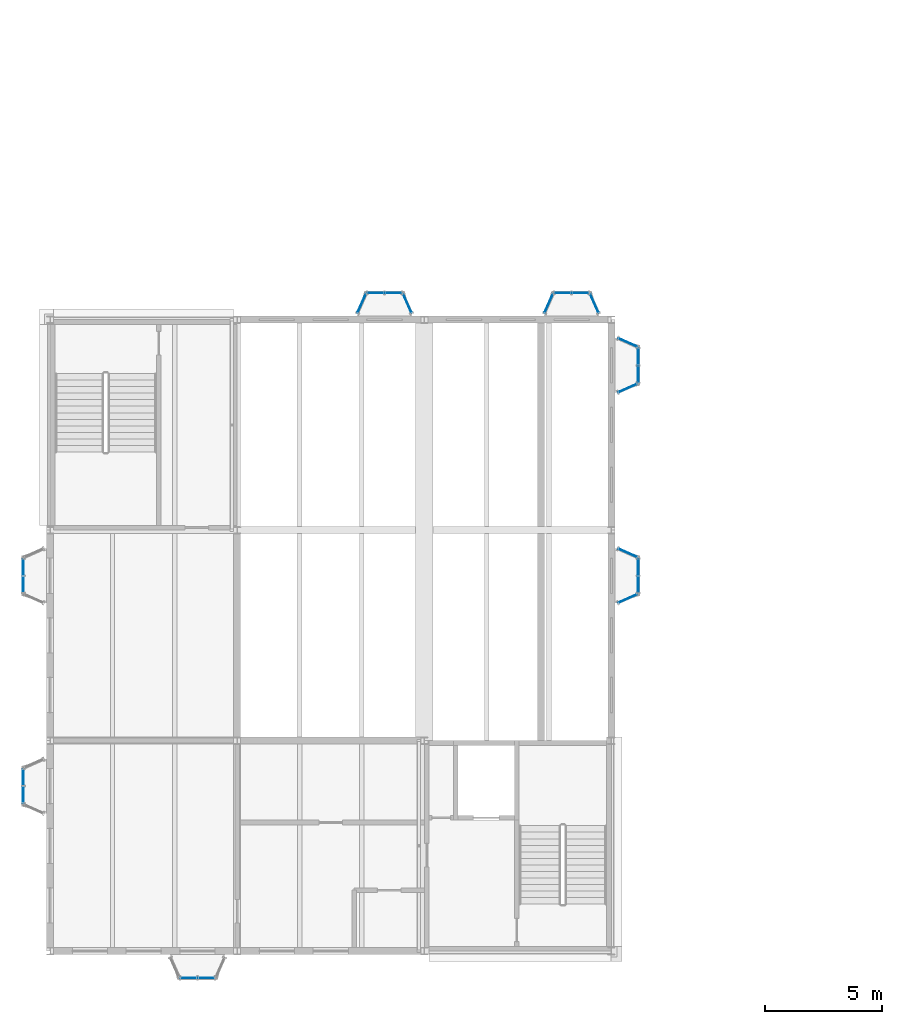
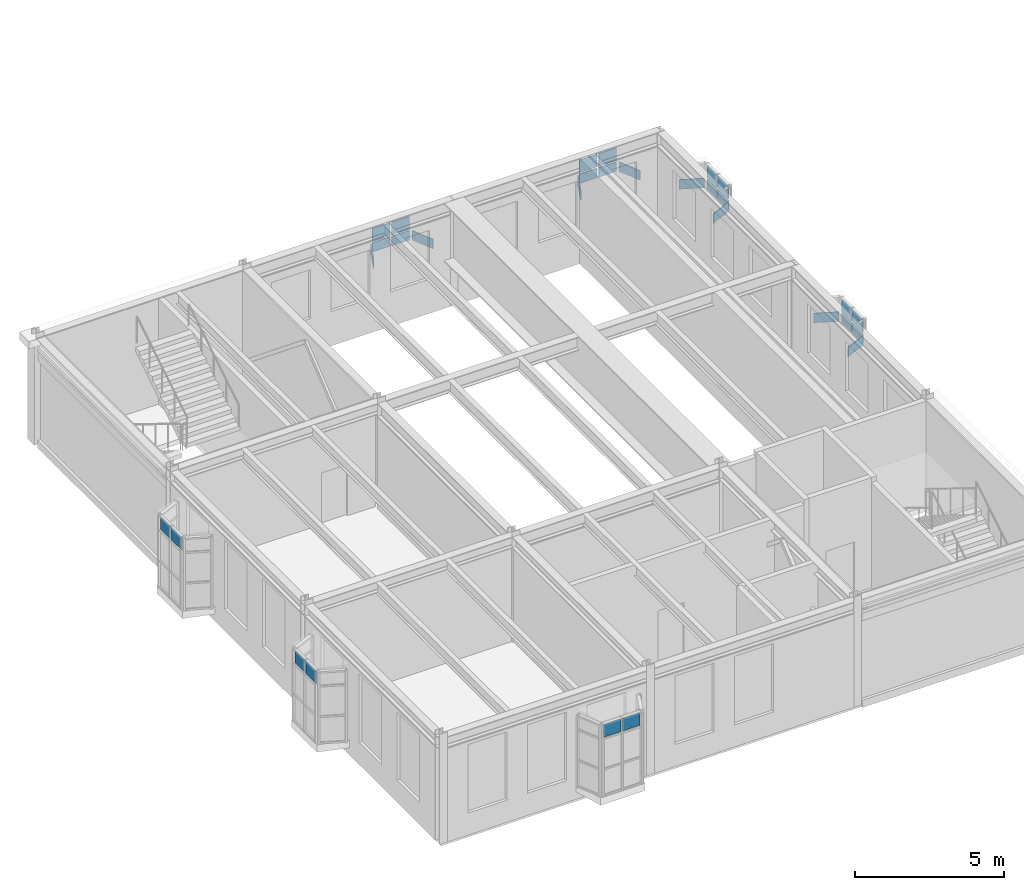
# One storey, part 90 of 153: 30 plates, 15 elements without a shape of their own.
"""IFC4 building model written with IfcOpenShell, lengths in metres."""

from ifc_helpers import new_model, si_unit, direction, frame, origin, origin_2d, place, context, subcontext, project, spatial, rectangle, extrude, material, layer, layer_set, type_object, element, aggregate, save


model = new_model("IFC4")

# Units and contexts
model_context = context("Model", 3, precision=1e-05, world=origin(), true_north=direction((0.0, 1.0)))
body_context = subcontext(model_context, "Body", "Model", "MODEL_VIEW")
ifc_project = project(units=[si_unit("LENGTHUNIT", "METRE"), si_unit("AREAUNIT", "SQUARE_METRE"), si_unit("VOLUMEUNIT", "CUBIC_METRE"), si_unit("PLANEANGLEUNIT", "RADIAN"), si_unit("MASSUNIT", "GRAM", prefix="KILO")], contexts=[model_context])

# Site, building, storey
site_placement = place(None, origin())
site = spatial("IfcSite", under=ifc_project, at=site_placement, CompositionType="ELEMENT")
building_placement = place(site_placement, origin())
building = spatial("IfcBuilding", under=site, at=building_placement, Name="Kallimachos Central Library", CompositionType="ELEMENT")
storey_placement = place(building_placement, frame((0.0, 0.0, 5.39990234375)))
storey = spatial("IfcBuildingStorey", under=building, at=storey_placement, Name="L01", CompositionType="ELEMENT", Elevation=5.39990234375)

# Curtain wall, plate
ifc_material_1 = material(Name="Laminated glass in anodised aluminium", Category="aluminium")
curtain_wall_type = type_object("IfcCurtainWallType", Name="Foyer curtain wall", PredefinedType="NOTDEFINED", material=ifc_material_1)
curtain_wall_1_placement = place(storey_placement, origin())
curtain_wall_1 = element("IfcCurtainWall", 1, at=curtain_wall_1_placement, inside=storey, type_object=curtain_wall_type, Name="Tribune bay return west", PredefinedType="NOTDEFINED")
ifc_material_2 = material(Name="Laminated glass", Category="glass")
ifc_layer = layer(ifc_material_2, 0.028076171875)
ifc_layer_set = layer_set([ifc_layer], Name="Curtain wall glass panel 28")
plate_type = type_object("IfcPlateType", Name="Curtain wall glass panel 28", PredefinedType="CURTAIN_PANEL", material=ifc_layer_set)
plate_1_placement = place(storey_placement, frame((27.324951171875, 36.699951171875, 2.22998046875), z_axis=(0.0, 0.0, 1.0), x_axis=(0.40613846606, 0.913811548617, 0.0)))
plate_1 = element("IfcPlate", 2, at=plate_1_placement, type_object=plate_type, Name="CW panel 1.2", PredefinedType="CURTAIN_PANEL", context=body_context, shape_type="SweptSolid", body=[
    extrude(rectangle(XDim=0.864990234375, YDim=0.028076171875, at=origin_2d()), origin(), (0.0, 0.0, 1.0), 0.389892578125),
])
aggregate(curtain_wall_1, [plate_1])

# Curtain wall, plates
curtain_wall_2_placement = place(storey_placement, origin())
curtain_wall_2 = element("IfcCurtainWall", 3, at=curtain_wall_2_placement, inside=storey, type_object=curtain_wall_type, Name="Tribune bay front", PredefinedType="NOTDEFINED")
plate_2_placement = place(storey_placement, frame((27.927490234375, 37.14990234375, 2.22998046875), z_axis=(0.0, 0.0, 1.0), x_axis=(1.0, 0.0, 0.0)))
plate_2 = element("IfcPlate", 4, at=plate_2_placement, type_object=plate_type, Name="CW panel 1.2", PredefinedType="CURTAIN_PANEL", context=body_context, shape_type="SweptSolid", body=[
    extrude(rectangle(XDim=0.68505859375, YDim=0.028076171875, at=origin_2d()), origin(), (0.0, 0.0, 1.0), 0.389892578125),
])
plate_3_placement = place(storey_placement, frame((27.927490234375, 37.14990234375, 2.68017578125), z_axis=(0.0, 0.0, 1.0), x_axis=(1.0, 0.0, 0.0)))
plate_3 = element("IfcPlate", 5, at=plate_3_placement, type_object=plate_type, Name="CW panel 1.3", PredefinedType="CURTAIN_PANEL", context=body_context, shape_type="SweptSolid", body=[
    extrude(rectangle(XDim=0.68505859375, YDim=0.028076171875, at=origin_2d()), origin(), (0.0, 0.0, 1.0), 0.510009765625),
])
plate_4_placement = place(storey_placement, frame((28.672607421875, 37.14990234375, 2.22998046875), z_axis=(0.0, 0.0, 1.0), x_axis=(1.0, 0.0, 0.0)))
plate_4 = element("IfcPlate", 6, at=plate_4_placement, type_object=plate_type, Name="CW panel 2.2", PredefinedType="CURTAIN_PANEL", context=body_context, shape_type="SweptSolid", body=[
    extrude(rectangle(XDim=0.68505859375, YDim=0.028076171875, at=origin_2d()), origin(), (0.0, 0.0, 1.0), 0.389892578125),
])
plate_5_placement = place(storey_placement, frame((28.672607421875, 37.14990234375, 2.68017578125), z_axis=(0.0, 0.0, 1.0), x_axis=(1.0, 0.0, 0.0)))
plate_5 = element("IfcPlate", 7, at=plate_5_placement, type_object=plate_type, Name="CW panel 2.3", PredefinedType="CURTAIN_PANEL", context=body_context, shape_type="SweptSolid", body=[
    extrude(rectangle(XDim=0.68505859375, YDim=0.028076171875, at=origin_2d()), origin(), (0.0, 0.0, 1.0), 0.510009765625),
])
aggregate(curtain_wall_2, [plate_2, plate_3, plate_4, plate_5])

# Curtain wall, plate
curtain_wall_3_placement = place(storey_placement, origin())
curtain_wall_3 = element("IfcCurtainWall", 8, at=curtain_wall_3_placement, inside=storey, type_object=curtain_wall_type, Name="Tribune bay return east", PredefinedType="NOTDEFINED")
plate_6_placement = place(storey_placement, frame((29.27490234375, 36.699951171875, 2.22998046875), z_axis=(0.0, 0.0, 1.0), x_axis=(0.40613846606, -0.913811548617, 0.0)))
plate_6 = element("IfcPlate", 9, at=plate_6_placement, type_object=plate_type, Name="CW panel 1.2", PredefinedType="CURTAIN_PANEL", context=body_context, shape_type="SweptSolid", body=[
    extrude(rectangle(XDim=0.864990234375, YDim=0.028076171875, at=origin_2d()), origin(), (0.0, 0.0, 1.0), 0.389892578125),
])
aggregate(curtain_wall_3, [plate_6])

# Curtain wall, plates
curtain_wall_4_placement = place(storey_placement, origin())
curtain_wall_4 = element("IfcCurtainWall", 10, at=curtain_wall_4_placement, inside=storey, type_object=curtain_wall_type, Name="Tribune bay front", PredefinedType="NOTDEFINED")
plate_7_placement = place(storey_placement, frame((4.85009765625, 24.677490234375, 2.97998046875), z_axis=(0.0, 0.0, 1.0), x_axis=(0.0, 1.0, 0.0)))
plate_7 = element("IfcPlate", 11, at=plate_7_placement, type_object=plate_type, Name="CW panel 1.3", PredefinedType="CURTAIN_PANEL", context=body_context, shape_type="SweptSolid", body=[
    extrude(rectangle(XDim=0.68505859375, YDim=0.028076171875, at=origin_2d()), origin(), (0.0, 0.0, 1.0), 0.510009765625),
])
plate_8_placement = place(storey_placement, frame((4.85009765625, 25.422607421875, 2.97998046875), z_axis=(0.0, 0.0, 1.0), x_axis=(0.0, 1.0, 0.0)))
plate_8 = element("IfcPlate", 12, at=plate_8_placement, type_object=plate_type, Name="CW panel 2.3", PredefinedType="CURTAIN_PANEL", context=body_context, shape_type="SweptSolid", body=[
    extrude(rectangle(XDim=0.68505859375, YDim=0.028076171875, at=origin_2d()), origin(), (0.0, 0.0, 1.0), 0.510009765625),
])
aggregate(curtain_wall_4, [plate_7, plate_8])

# Curtain wall, plate
curtain_wall_5_placement = place(storey_placement, origin())
curtain_wall_5 = element("IfcCurtainWall", 13, at=curtain_wall_5_placement, inside=storey, type_object=curtain_wall_type, Name="Tribune bay return west", PredefinedType="NOTDEFINED")
plate_9_placement = place(storey_placement, frame((30.699951171875, 33.074951171875, 2.22998046875), z_axis=(0.0, 0.0, 1.0), x_axis=(0.913811548617, 0.40613846606, 0.0)))
plate_9 = element("IfcPlate", 14, at=plate_9_placement, type_object=plate_type, Name="CW panel 1.2", PredefinedType="CURTAIN_PANEL", context=body_context, shape_type="SweptSolid", body=[
    extrude(rectangle(XDim=0.864990234375, YDim=0.028076171875, at=origin_2d()), origin(), (0.0, 0.0, 1.0), 0.389892578125),
])
aggregate(curtain_wall_5, [plate_9])

# Curtain wall, plates
curtain_wall_6_placement = place(storey_placement, origin())
curtain_wall_6 = element("IfcCurtainWall", 15, at=curtain_wall_6_placement, inside=storey, type_object=curtain_wall_type, Name="Tribune bay front", PredefinedType="NOTDEFINED")
plate_10_placement = place(storey_placement, frame((31.14990234375, 33.677490234375, 2.22998046875), z_axis=(0.0, 0.0, 1.0), x_axis=(0.0, 1.0, 0.0)))
plate_10 = element("IfcPlate", 16, at=plate_10_placement, type_object=plate_type, Name="CW panel 1.2", PredefinedType="CURTAIN_PANEL", context=body_context, shape_type="SweptSolid", body=[
    extrude(rectangle(XDim=0.68505859375, YDim=0.028076171875, at=origin_2d()), origin(), (0.0, 0.0, 1.0), 0.389892578125),
])
plate_11_placement = place(storey_placement, frame((31.14990234375, 33.677490234375, 2.68017578125), z_axis=(0.0, 0.0, 1.0), x_axis=(0.0, 1.0, 0.0)))
plate_11 = element("IfcPlate", 17, at=plate_11_placement, type_object=plate_type, Name="CW panel 1.3", PredefinedType="CURTAIN_PANEL", context=body_context, shape_type="SweptSolid", body=[
    extrude(rectangle(XDim=0.68505859375, YDim=0.028076171875, at=origin_2d()), origin(), (0.0, 0.0, 1.0), 0.510009765625),
])
plate_12_placement = place(storey_placement, frame((31.14990234375, 34.422607421875, 2.22998046875), z_axis=(0.0, 0.0, 1.0), x_axis=(0.0, 1.0, 0.0)))
plate_12 = element("IfcPlate", 18, at=plate_12_placement, type_object=plate_type, Name="CW panel 2.2", PredefinedType="CURTAIN_PANEL", context=body_context, shape_type="SweptSolid", body=[
    extrude(rectangle(XDim=0.68505859375, YDim=0.028076171875, at=origin_2d()), origin(), (0.0, 0.0, 1.0), 0.389892578125),
])
plate_13_placement = place(storey_placement, frame((31.14990234375, 34.422607421875, 2.68017578125), z_axis=(0.0, 0.0, 1.0), x_axis=(0.0, 1.0, 0.0)))
plate_13 = element("IfcPlate", 19, at=plate_13_placement, type_object=plate_type, Name="CW panel 2.3", PredefinedType="CURTAIN_PANEL", context=body_context, shape_type="SweptSolid", body=[
    extrude(rectangle(XDim=0.68505859375, YDim=0.028076171875, at=origin_2d()), origin(), (0.0, 0.0, 1.0), 0.510009765625),
])
aggregate(curtain_wall_6, [plate_10, plate_11, plate_12, plate_13])

# Curtain wall, plate
curtain_wall_7_placement = place(storey_placement, origin())
curtain_wall_7 = element("IfcCurtainWall", 20, at=curtain_wall_7_placement, inside=storey, type_object=curtain_wall_type, Name="Tribune bay return east", PredefinedType="NOTDEFINED")
plate_14_placement = place(storey_placement, frame((30.699951171875, 35.02490234375, 2.22998046875), z_axis=(0.0, 0.0, 1.0), x_axis=(-0.913811548617, 0.40613846606, 0.0)))
plate_14 = element("IfcPlate", 21, at=plate_14_placement, type_object=plate_type, Name="CW panel 1.2", PredefinedType="CURTAIN_PANEL", context=body_context, shape_type="SweptSolid", body=[
    extrude(rectangle(XDim=0.864990234375, YDim=0.028076171875, at=origin_2d()), origin(), (0.0, 0.0, 1.0), 0.389892578125),
])
aggregate(curtain_wall_7, [plate_14])

# Curtain wall, plates
curtain_wall_8_placement = place(storey_placement, origin())
curtain_wall_8 = element("IfcCurtainWall", 22, at=curtain_wall_8_placement, inside=storey, type_object=curtain_wall_type, Name="Tribune bay front", PredefinedType="NOTDEFINED")
plate_15_placement = place(storey_placement, frame((11.927490234375, 7.85009765625, 2.97998046875), z_axis=(0.0, 0.0, 1.0), x_axis=(1.0, 0.0, 0.0)))
plate_15 = element("IfcPlate", 23, at=plate_15_placement, type_object=plate_type, Name="CW panel 1.3", PredefinedType="CURTAIN_PANEL", context=body_context, shape_type="SweptSolid", body=[
    extrude(rectangle(XDim=0.68505859375, YDim=0.028076171875, at=origin_2d()), origin(), (0.0, 0.0, 1.0), 0.510009765625),
])
plate_16_placement = place(storey_placement, frame((12.672607421875, 7.85009765625, 2.97998046875), z_axis=(0.0, 0.0, 1.0), x_axis=(1.0, 0.0, 0.0)))
plate_16 = element("IfcPlate", 24, at=plate_16_placement, type_object=plate_type, Name="CW panel 2.3", PredefinedType="CURTAIN_PANEL", context=body_context, shape_type="SweptSolid", body=[
    extrude(rectangle(XDim=0.68505859375, YDim=0.028076171875, at=origin_2d()), origin(), (0.0, 0.0, 1.0), 0.510009765625),
])
aggregate(curtain_wall_8, [plate_15, plate_16])

curtain_wall_9_placement = place(storey_placement, origin())
curtain_wall_9 = element("IfcCurtainWall", 25, at=curtain_wall_9_placement, inside=storey, type_object=curtain_wall_type, Name="Tribune bay front", PredefinedType="NOTDEFINED")
plate_17_placement = place(storey_placement, frame((4.85009765625, 15.677490234375, 2.97998046875), z_axis=(0.0, 0.0, 1.0), x_axis=(0.0, 1.0, 0.0)))
plate_17 = element("IfcPlate", 26, at=plate_17_placement, type_object=plate_type, Name="CW panel 1.3", PredefinedType="CURTAIN_PANEL", context=body_context, shape_type="SweptSolid", body=[
    extrude(rectangle(XDim=0.68505859375, YDim=0.028076171875, at=origin_2d()), origin(), (0.0, 0.0, 1.0), 0.510009765625),
])
plate_18_placement = place(storey_placement, frame((4.85009765625, 16.422607421875, 2.97998046875), z_axis=(0.0, 0.0, 1.0), x_axis=(0.0, 1.0, 0.0)))
plate_18 = element("IfcPlate", 27, at=plate_18_placement, type_object=plate_type, Name="CW panel 2.3", PredefinedType="CURTAIN_PANEL", context=body_context, shape_type="SweptSolid", body=[
    extrude(rectangle(XDim=0.68505859375, YDim=0.028076171875, at=origin_2d()), origin(), (0.0, 0.0, 1.0), 0.510009765625),
])
aggregate(curtain_wall_9, [plate_17, plate_18])

# Curtain wall, plate
curtain_wall_10_placement = place(storey_placement, origin())
curtain_wall_10 = element("IfcCurtainWall", 28, at=curtain_wall_10_placement, inside=storey, type_object=curtain_wall_type, Name="Tribune bay return west", PredefinedType="NOTDEFINED")
plate_19_placement = place(storey_placement, frame((19.324951171875, 36.699951171875, 2.22998046875), z_axis=(0.0, 0.0, 1.0), x_axis=(0.40613846606, 0.913811548617, 0.0)))
plate_19 = element("IfcPlate", 29, at=plate_19_placement, type_object=plate_type, Name="CW panel 1.2", PredefinedType="CURTAIN_PANEL", context=body_context, shape_type="SweptSolid", body=[
    extrude(rectangle(XDim=0.864990234375, YDim=0.028076171875, at=origin_2d()), origin(), (0.0, 0.0, 1.0), 0.389892578125),
])
aggregate(curtain_wall_10, [plate_19])

# Curtain wall, plates
curtain_wall_11_placement = place(storey_placement, origin())
curtain_wall_11 = element("IfcCurtainWall", 30, at=curtain_wall_11_placement, inside=storey, type_object=curtain_wall_type, Name="Tribune bay front", PredefinedType="NOTDEFINED")
plate_20_placement = place(storey_placement, frame((19.927490234375, 37.14990234375, 2.22998046875), z_axis=(0.0, 0.0, 1.0), x_axis=(1.0, 0.0, 0.0)))
plate_20 = element("IfcPlate", 31, at=plate_20_placement, type_object=plate_type, Name="CW panel 1.2", PredefinedType="CURTAIN_PANEL", context=body_context, shape_type="SweptSolid", body=[
    extrude(rectangle(XDim=0.68505859375, YDim=0.028076171875, at=origin_2d()), origin(), (0.0, 0.0, 1.0), 0.389892578125),
])
plate_21_placement = place(storey_placement, frame((19.927490234375, 37.14990234375, 2.68017578125), z_axis=(0.0, 0.0, 1.0), x_axis=(1.0, 0.0, 0.0)))
plate_21 = element("IfcPlate", 32, at=plate_21_placement, type_object=plate_type, Name="CW panel 1.3", PredefinedType="CURTAIN_PANEL", context=body_context, shape_type="SweptSolid", body=[
    extrude(rectangle(XDim=0.68505859375, YDim=0.028076171875, at=origin_2d()), origin(), (0.0, 0.0, 1.0), 0.510009765625),
])
plate_22_placement = place(storey_placement, frame((20.672607421875, 37.14990234375, 2.22998046875), z_axis=(0.0, 0.0, 1.0), x_axis=(1.0, 0.0, 0.0)))
plate_22 = element("IfcPlate", 33, at=plate_22_placement, type_object=plate_type, Name="CW panel 2.2", PredefinedType="CURTAIN_PANEL", context=body_context, shape_type="SweptSolid", body=[
    extrude(rectangle(XDim=0.68505859375, YDim=0.028076171875, at=origin_2d()), origin(), (0.0, 0.0, 1.0), 0.389892578125),
])
plate_23_placement = place(storey_placement, frame((20.672607421875, 37.14990234375, 2.68017578125), z_axis=(0.0, 0.0, 1.0), x_axis=(1.0, 0.0, 0.0)))
plate_23 = element("IfcPlate", 34, at=plate_23_placement, type_object=plate_type, Name="CW panel 2.3", PredefinedType="CURTAIN_PANEL", context=body_context, shape_type="SweptSolid", body=[
    extrude(rectangle(XDim=0.68505859375, YDim=0.028076171875, at=origin_2d()), origin(), (0.0, 0.0, 1.0), 0.510009765625),
])
aggregate(curtain_wall_11, [plate_20, plate_21, plate_22, plate_23])

# Curtain wall, plate
curtain_wall_12_placement = place(storey_placement, origin())
curtain_wall_12 = element("IfcCurtainWall", 35, at=curtain_wall_12_placement, inside=storey, type_object=curtain_wall_type, Name="Tribune bay return east", PredefinedType="NOTDEFINED")
plate_24_placement = place(storey_placement, frame((21.27490234375, 36.699951171875, 2.22998046875), z_axis=(0.0, 0.0, 1.0), x_axis=(0.40613846606, -0.913811548617, 0.0)))
plate_24 = element("IfcPlate", 36, at=plate_24_placement, type_object=plate_type, Name="CW panel 1.2", PredefinedType="CURTAIN_PANEL", context=body_context, shape_type="SweptSolid", body=[
    extrude(rectangle(XDim=0.864990234375, YDim=0.028076171875, at=origin_2d()), origin(), (0.0, 0.0, 1.0), 0.389892578125),
])
aggregate(curtain_wall_12, [plate_24])

curtain_wall_13_placement = place(storey_placement, origin())
curtain_wall_13 = element("IfcCurtainWall", 37, at=curtain_wall_13_placement, inside=storey, type_object=curtain_wall_type, Name="Tribune bay return west", PredefinedType="NOTDEFINED")
plate_25_placement = place(storey_placement, frame((30.699951171875, 24.074951171875, 2.22998046875), z_axis=(0.0, 0.0, 1.0), x_axis=(0.913811548617, 0.40613846606, 0.0)))
plate_25 = element("IfcPlate", 38, at=plate_25_placement, type_object=plate_type, Name="CW panel 1.2", PredefinedType="CURTAIN_PANEL", context=body_context, shape_type="SweptSolid", body=[
    extrude(rectangle(XDim=0.864990234375, YDim=0.028076171875, at=origin_2d()), origin(), (0.0, 0.0, 1.0), 0.389892578125),
])
aggregate(curtain_wall_13, [plate_25])

# Curtain wall, plates
curtain_wall_14_placement = place(storey_placement, origin())
curtain_wall_14 = element("IfcCurtainWall", 39, at=curtain_wall_14_placement, inside=storey, type_object=curtain_wall_type, Name="Tribune bay front", PredefinedType="NOTDEFINED")
plate_26_placement = place(storey_placement, frame((31.14990234375, 24.677490234375, 2.22998046875), z_axis=(0.0, 0.0, 1.0), x_axis=(0.0, 1.0, 0.0)))
plate_26 = element("IfcPlate", 40, at=plate_26_placement, type_object=plate_type, Name="CW panel 1.2", PredefinedType="CURTAIN_PANEL", context=body_context, shape_type="SweptSolid", body=[
    extrude(rectangle(XDim=0.68505859375, YDim=0.028076171875, at=origin_2d()), origin(), (0.0, 0.0, 1.0), 0.389892578125),
])
plate_27_placement = place(storey_placement, frame((31.14990234375, 24.677490234375, 2.68017578125), z_axis=(0.0, 0.0, 1.0), x_axis=(0.0, 1.0, 0.0)))
plate_27 = element("IfcPlate", 41, at=plate_27_placement, type_object=plate_type, Name="CW panel 1.3", PredefinedType="CURTAIN_PANEL", context=body_context, shape_type="SweptSolid", body=[
    extrude(rectangle(XDim=0.68505859375, YDim=0.028076171875, at=origin_2d()), origin(), (0.0, 0.0, 1.0), 0.510009765625),
])
plate_28_placement = place(storey_placement, frame((31.14990234375, 25.422607421875, 2.22998046875), z_axis=(0.0, 0.0, 1.0), x_axis=(0.0, 1.0, 0.0)))
plate_28 = element("IfcPlate", 42, at=plate_28_placement, type_object=plate_type, Name="CW panel 2.2", PredefinedType="CURTAIN_PANEL", context=body_context, shape_type="SweptSolid", body=[
    extrude(rectangle(XDim=0.68505859375, YDim=0.028076171875, at=origin_2d()), origin(), (0.0, 0.0, 1.0), 0.389892578125),
])
plate_29_placement = place(storey_placement, frame((31.14990234375, 25.422607421875, 2.68017578125), z_axis=(0.0, 0.0, 1.0), x_axis=(0.0, 1.0, 0.0)))
plate_29 = element("IfcPlate", 43, at=plate_29_placement, type_object=plate_type, Name="CW panel 2.3", PredefinedType="CURTAIN_PANEL", context=body_context, shape_type="SweptSolid", body=[
    extrude(rectangle(XDim=0.68505859375, YDim=0.028076171875, at=origin_2d()), origin(), (0.0, 0.0, 1.0), 0.510009765625),
])
aggregate(curtain_wall_14, [plate_26, plate_27, plate_28, plate_29])

# Curtain wall, plate
curtain_wall_15_placement = place(storey_placement, origin())
curtain_wall_15 = element("IfcCurtainWall", 44, at=curtain_wall_15_placement, inside=storey, type_object=curtain_wall_type, Name="Tribune bay return east", PredefinedType="NOTDEFINED")
plate_30_placement = place(storey_placement, frame((30.699951171875, 26.02490234375, 2.22998046875), z_axis=(0.0, 0.0, 1.0), x_axis=(-0.913811548617, 0.40613846606, 0.0)))
plate_30 = element("IfcPlate", 45, at=plate_30_placement, type_object=plate_type, Name="CW panel 1.2", PredefinedType="CURTAIN_PANEL", context=body_context, shape_type="SweptSolid", body=[
    extrude(rectangle(XDim=0.864990234375, YDim=0.028076171875, at=origin_2d()), origin(), (0.0, 0.0, 1.0), 0.389892578125),
])
aggregate(curtain_wall_15, [plate_30])

save(model, "model.ifc")
